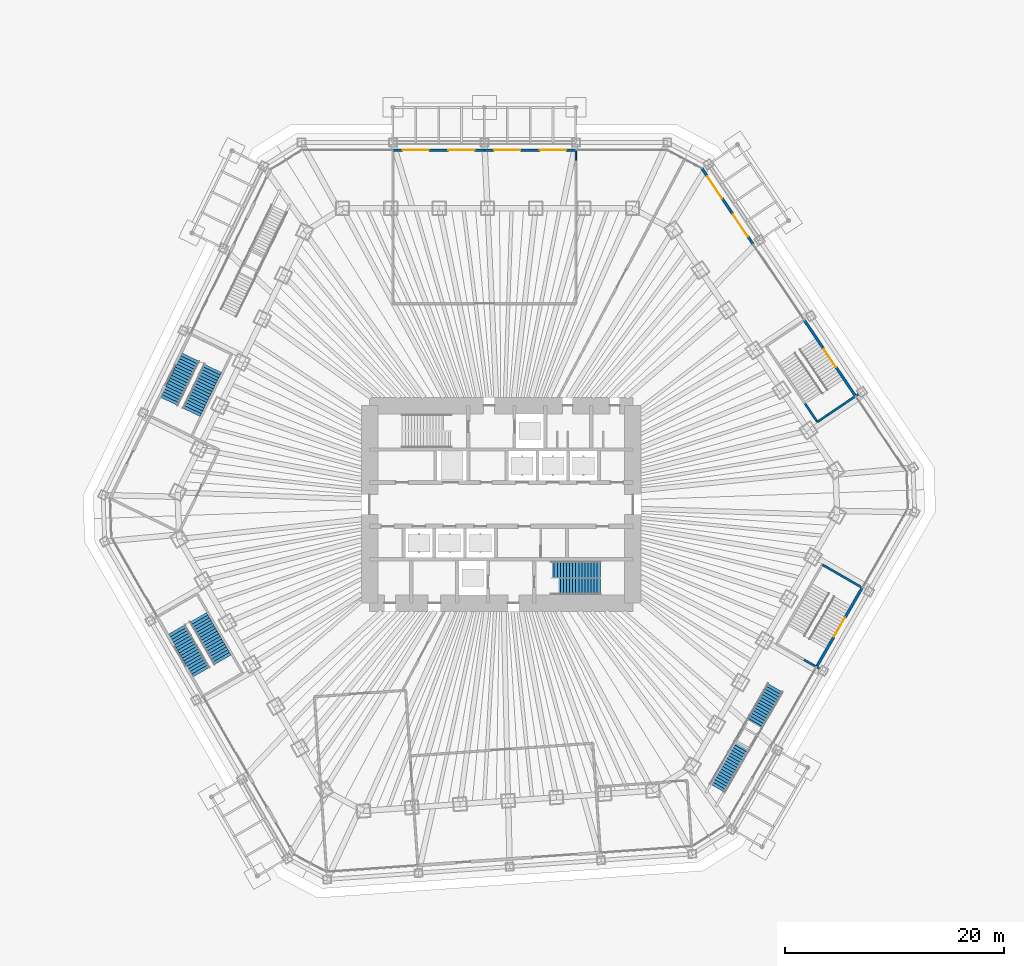
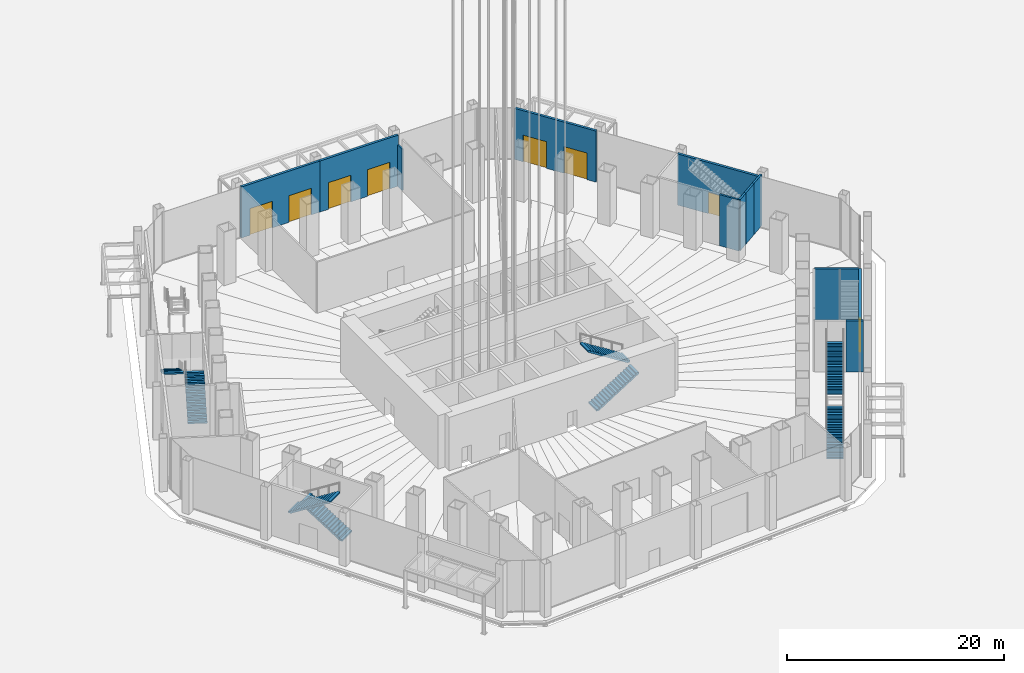
# One storey, part 30 of 45: 12 walls, 8 doors, 8 stair flights, 8 openings, 4 elements without a shape of their own.
"""IFC4 building model written with IfcOpenShell, lengths in metres."""

from ifc_helpers import new_model, si_unit, direction, frame, frame_2d, origin, place, context, subcontext, project, spatial, polyline, rectangle, outline, extrude, material, layer, layer_set, constituent, constituent_set, type_object, element, fill, aggregate, save


model = new_model("IFC4")

# Units and contexts
model_context = context("Model", 3, precision=1e-05, world=origin(), true_north=direction((0.0, 1.0)))
body_context = subcontext(model_context, "Body", "Model", "MODEL_VIEW")
ifc_project = project(units=[si_unit("LENGTHUNIT", "METRE"), si_unit("AREAUNIT", "SQUARE_METRE"), si_unit("VOLUMEUNIT", "CUBIC_METRE"), si_unit("PLANEANGLEUNIT", "RADIAN"), si_unit("MASSUNIT", "GRAM", prefix="KILO")], contexts=[model_context])

# Site, building, storey
site_placement = place(None, origin())
site = spatial("IfcSite", under=ifc_project, at=site_placement, CompositionType="ELEMENT")
building_placement = place(site_placement, origin())
building = spatial("IfcBuilding", under=site, at=building_placement, Name="Qingtian Harvest Tower", CompositionType="ELEMENT")
storey_placement = place(building_placement, origin())
storey = spatial("IfcBuildingStorey", under=building, at=storey_placement, Name="L00", CompositionType="ELEMENT", Elevation=0.0)

# Wall, openings, doors
ifc_material_1 = material(Name="Bronze-clad steel-framed screen wall with fire-rated lining", Category="steel")
ifc_layer_1 = layer(ifc_material_1, 0.25)
ifc_layer_set_1 = layer_set([ifc_layer_1], Name="Facade door bay wall FW2 250")
wall_type_1 = type_object("IfcWallType", Name="Facade door bay wall FW2 250", PredefinedType="SOLIDWALL", material=ifc_layer_set_1)
wall_1_placement = place(storey_placement, frame((-9.87890625, 32.300048828125, 0.0), z_axis=(0.0, 0.0, 1.0), x_axis=(1.0, 0.0, 0.0)))
wall_1 = element("IfcWall", 1, at=wall_1_placement, inside=storey, type_object=wall_type_1, Name="Tower lobby entrance bay N1", PredefinedType="SOLIDWALL", context=body_context, shape_type="SweptSolid", body=[
    extrude(rectangle(XDim=8.341796875, YDim=0.25, at=frame_2d((4.1708984375, 0.0))), origin(), (0.0, 0.0, 1.0), 5.75),
])
opening_1_placement = place(wall_1_placement, frame((0.885498046875, 0.0, 0.0)))
opening_1 = element("IfcOpeningElement", 2, at=opening_1_placement, cuts=wall_1, Name="Opening ED1", PredefinedType="OPENING", context=body_context, shape_type="SweptSolid", body=[
    extrude(rectangle(XDim=2.39990234375, YDim=3.0, at=frame_2d((1.199951171875, 1.5))), frame((0.0, 0.135009765625, 0.0), z_axis=(0.0, -1.0, 0.0), x_axis=(1.0, 0.0, 0.0)), (0.0, 0.0, 1.0), 0.27001953125),
])
opening_2_placement = place(wall_1_placement, frame((5.056396484375, 0.0, 0.0)))
opening_2 = element("IfcOpeningElement", 3, at=opening_2_placement, cuts=wall_1, Name="Opening ED1", PredefinedType="OPENING", context=body_context, shape_type="SweptSolid", body=[
    extrude(rectangle(XDim=2.39990234375, YDim=3.0, at=frame_2d((1.199951171875, 1.5))), frame((0.0, 0.135009765625, 0.0), z_axis=(0.0, -1.0, 0.0), x_axis=(1.0, 0.0, 0.0)), (0.0, 0.0, 1.0), 0.27001953125),
])
ifc_material_2 = material(Name="Bronze-framed glass door", Category="glass")
door_type_1 = type_object("IfcDoorType", Name="Entrance door ED1 double", OperationType="DOUBLE_DOOR_DOUBLE_SWING", PredefinedType="DOOR", material=ifc_material_2)
door_1_placement = place(opening_1_placement, origin())
door_1 = element("IfcDoor", 4, at=door_1_placement, inside=storey, type_object=door_type_1, Name="Tower lobby entrance N1", OperationType="DOUBLE_DOOR_DOUBLE_SWING", OverallHeight=3.0, OverallWidth=2.39990234375, PredefinedType="DOOR", context=body_context, shape_type="SweptSolid", body=[
    extrude(rectangle(XDim=2.39990234375, YDim=3.0, at=frame_2d((1.199951171875, 1.5))), frame((0.0, 0.02490234375, 0.0), z_axis=(0.0, -1.0, 0.0), x_axis=(1.0, 0.0, 0.0)), (0.0, 0.0, 1.0), 0.050048828125),
])
fill(opening_1, door_1)
door_2_placement = place(opening_2_placement, origin())
door_2 = element("IfcDoor", 5, at=door_2_placement, inside=storey, type_object=door_type_1, Name="Tower lobby entrance N1", OperationType="DOUBLE_DOOR_DOUBLE_SWING", OverallHeight=3.0, OverallWidth=2.39990234375, PredefinedType="DOOR", context=body_context, shape_type="SweptSolid", body=[
    extrude(rectangle(XDim=2.39990234375, YDim=3.0, at=frame_2d((1.199951171875, 1.5))), frame((0.0, 0.02490234375, 0.0), z_axis=(0.0, -1.0, 0.0), x_axis=(1.0, 0.0, 0.0)), (0.0, 0.0, 1.0), 0.050048828125),
])
fill(opening_2, door_2)

wall_2_placement = place(storey_placement, frame((-1.537109375, 32.300048828125, 0.0), z_axis=(0.0, 0.0, 1.0), x_axis=(1.0, 0.0, 0.0)))
wall_2 = element("IfcWall", 6, at=wall_2_placement, inside=storey, type_object=wall_type_1, Name="Tower lobby entrance bay N2", PredefinedType="SOLIDWALL", context=body_context, shape_type="SweptSolid", body=[
    extrude(rectangle(XDim=8.341796875, YDim=0.25, at=frame_2d((4.1708984375, 0.0))), origin(), (0.0, 0.0, 1.0), 5.75),
])
opening_3_placement = place(wall_2_placement, frame((0.885498046875, 0.0, 0.0)))
opening_3 = element("IfcOpeningElement", 7, at=opening_3_placement, cuts=wall_2, Name="Opening ED1", PredefinedType="OPENING", context=body_context, shape_type="SweptSolid", body=[
    extrude(rectangle(XDim=2.39990234375, YDim=3.0, at=frame_2d((1.199951171875, 1.5))), frame((0.0, 0.135009765625, 0.0), z_axis=(0.0, -1.0, 0.0), x_axis=(1.0, 0.0, 0.0)), (0.0, 0.0, 1.0), 0.27001953125),
])
opening_4_placement = place(wall_2_placement, frame((5.056396484375, 0.0, 0.0)))
opening_4 = element("IfcOpeningElement", 8, at=opening_4_placement, cuts=wall_2, Name="Opening ED1", PredefinedType="OPENING", context=body_context, shape_type="SweptSolid", body=[
    extrude(rectangle(XDim=2.39990234375, YDim=3.0, at=frame_2d((1.199951171875, 1.5))), frame((0.0, 0.135009765625, 0.0), z_axis=(0.0, -1.0, 0.0), x_axis=(1.0, 0.0, 0.0)), (0.0, 0.0, 1.0), 0.27001953125),
])
door_3_placement = place(opening_3_placement, origin())
door_3 = element("IfcDoor", 9, at=door_3_placement, inside=storey, type_object=door_type_1, Name="Tower lobby entrance N2", OperationType="DOUBLE_DOOR_DOUBLE_SWING", OverallHeight=3.0, OverallWidth=2.39990234375, PredefinedType="DOOR", context=body_context, shape_type="SweptSolid", body=[
    extrude(rectangle(XDim=2.39990234375, YDim=3.0, at=frame_2d((1.199951171875, 1.5))), frame((0.0, 0.02490234375, 0.0), z_axis=(0.0, -1.0, 0.0), x_axis=(1.0, 0.0, 0.0)), (0.0, 0.0, 1.0), 0.050048828125),
])
fill(opening_3, door_3)
door_4_placement = place(opening_4_placement, origin())
door_4 = element("IfcDoor", 10, at=door_4_placement, inside=storey, type_object=door_type_1, Name="Tower lobby entrance N2", OperationType="DOUBLE_DOOR_DOUBLE_SWING", OverallHeight=3.0, OverallWidth=2.39990234375, PredefinedType="DOOR", context=body_context, shape_type="SweptSolid", body=[
    extrude(rectangle(XDim=2.39990234375, YDim=3.0, at=frame_2d((1.199951171875, 1.5))), frame((0.0, 0.02490234375, 0.0), z_axis=(0.0, -1.0, 0.0), x_axis=(1.0, 0.0, 0.0)), (0.0, 0.0, 1.0), 0.050048828125),
])
fill(opening_4, door_4)

wall_3_placement = place(storey_placement, frame((18.30810546875, 30.618896484375, 0.0), z_axis=(0.0, 0.0, 1.0), x_axis=(0.559196871021, -0.829034896395, 0.0)))
wall_3 = element("IfcWall", 11, at=wall_3_placement, inside=storey, type_object=wall_type_1, Name="Market hall entrance bay NE0", PredefinedType="SOLIDWALL", context=body_context, shape_type="SweptSolid", body=[
    extrude(rectangle(XDim=8.342041015625, YDim=0.25, at=frame_2d((4.1708984375, 0.0))), origin(), (0.0, 0.0, 1.0), 5.75),
])
opening_5_placement = place(wall_3_placement, frame((0.885498046875, 0.0, 0.0)))
opening_5 = element("IfcOpeningElement", 12, at=opening_5_placement, cuts=wall_3, Name="Opening ED1", PredefinedType="OPENING", context=body_context, shape_type="SweptSolid", body=[
    extrude(rectangle(XDim=2.39990234375, YDim=3.0, at=frame_2d((1.199951171875, 1.5))), frame((0.0, 0.135009765625, 0.0), z_axis=(0.0, -1.0, 0.0), x_axis=(1.0, 0.0, 0.0)), (0.0, 0.0, 1.0), 0.27001953125),
])
opening_6_placement = place(wall_3_placement, frame((5.056396484375, 0.0, 0.0)))
opening_6 = element("IfcOpeningElement", 13, at=opening_6_placement, cuts=wall_3, Name="Opening ED1", PredefinedType="OPENING", context=body_context, shape_type="SweptSolid", body=[
    extrude(rectangle(XDim=2.39990234375, YDim=3.0, at=frame_2d((1.199951171875, 1.5))), frame((0.0, 0.135009765625, 0.0), z_axis=(0.0, -1.0, 0.0), x_axis=(1.0, 0.0, 0.0)), (0.0, 0.0, 1.0), 0.27001953125),
])
door_5_placement = place(opening_5_placement, origin())
door_5 = element("IfcDoor", 14, at=door_5_placement, inside=storey, type_object=door_type_1, Name="Market hall entrance NE0", OperationType="DOUBLE_DOOR_DOUBLE_SWING", OverallHeight=3.0, OverallWidth=2.39990234375, PredefinedType="DOOR", context=body_context, shape_type="SweptSolid", body=[
    extrude(rectangle(XDim=2.39990234375, YDim=3.0, at=frame_2d((1.199951171875, 1.5))), frame((0.0, 0.02490234375, 0.0), z_axis=(0.0, -1.0, 0.0), x_axis=(1.0, 0.0, 0.0)), (0.0, 0.0, 1.0), 0.050048828125),
])
fill(opening_5, door_5)
door_6_placement = place(opening_6_placement, origin())
door_6 = element("IfcDoor", 15, at=door_6_placement, inside=storey, type_object=door_type_1, Name="Market hall entrance NE0", OperationType="DOUBLE_DOOR_DOUBLE_SWING", OverallHeight=3.0, OverallWidth=2.39990234375, PredefinedType="DOOR", context=body_context, shape_type="SweptSolid", body=[
    extrude(rectangle(XDim=2.39990234375, YDim=3.0, at=frame_2d((1.199951171875, 1.5))), frame((0.0, 0.02490234375, 0.0), z_axis=(0.0, -1.0, 0.0), x_axis=(1.0, 0.0, 0.0)), (0.0, 0.0, 1.0), 0.050048828125),
])
fill(opening_6, door_6)

# Wall, opening, door
wall_4_placement = place(storey_placement, frame((27.637451171875, 16.78759765625, 0.0), z_axis=(0.0, 0.0, 1.0), x_axis=(0.559196871021, -0.829034896395, 0.0)))
wall_4 = element("IfcWall", 16, at=wall_4_placement, inside=storey, type_object=wall_type_1, Name="Exit stair discharge door bay NE2", PredefinedType="SOLIDWALL", context=body_context, shape_type="SweptSolid", body=[
    extrude(rectangle(XDim=8.342041015625, YDim=0.25, at=frame_2d((4.1708984375, 0.0))), origin(), (0.0, 0.0, 1.0), 5.75),
])
opening_7_placement = place(wall_4_placement, frame((3.1708984375, 0.0, 0.0)))
opening_7 = element("IfcOpeningElement", 17, at=opening_7_placement, cuts=wall_4, Name="Opening XD1", PredefinedType="OPENING", context=body_context, shape_type="SweptSolid", body=[
    extrude(rectangle(XDim=2.0, YDim=2.39990234375, at=frame_2d((1.0, 1.199951171875))), frame((0.0, 0.135009765625, 0.0), z_axis=(0.0, -1.0, 0.0), x_axis=(1.0, 0.0, 0.0)), (0.0, 0.0, 1.0), 0.27001953125),
])
ifc_material_3 = material(Name="Steel-faced door leaf", Category="steel")
door_type_2 = type_object("IfcDoorType", Name="Exit discharge door XD1 double", OperationType="DOUBLE_DOOR_DOUBLE_SWING", PredefinedType="DOOR", material=ifc_material_3)
door_7_placement = place(opening_7_placement, origin())
door_7 = element("IfcDoor", 18, at=door_7_placement, inside=storey, type_object=door_type_2, Name="Exit stair discharge door NE2", OperationType="DOUBLE_DOOR_DOUBLE_SWING", OverallHeight=2.39990234375, OverallWidth=2.0, PredefinedType="DOOR", context=body_context, shape_type="SweptSolid", body=[
    extrude(rectangle(XDim=2.0, YDim=2.39990234375, at=frame_2d((1.0, 1.199951171875))), frame((0.0, 0.02490234375, 0.0), z_axis=(0.0, -1.0, 0.0), x_axis=(1.0, 0.0, 0.0)), (0.0, 0.0, 1.0), 0.050048828125),
])
fill(opening_7, door_7)

wall_5_placement = place(storey_placement, frame((32.912109375, -7.5947265625, 0.0), z_axis=(0.0, 0.0, 1.0), x_axis=(-0.500004511595, -0.866022798998, 0.0)))
wall_5 = element("IfcWall", 19, at=wall_5_placement, inside=storey, type_object=wall_type_1, Name="Exit stair discharge door bay SE1", PredefinedType="SOLIDWALL", context=body_context, shape_type="SweptSolid", body=[
    extrude(rectangle(XDim=8.341796875, YDim=0.25, at=frame_2d((4.1708984375, 0.0))), origin(), (0.0, 0.0, 1.0), 5.75),
])
opening_8_placement = place(wall_5_placement, frame((3.1708984375, 0.0, 0.0)))
opening_8 = element("IfcOpeningElement", 20, at=opening_8_placement, cuts=wall_5, Name="Opening XD1", PredefinedType="OPENING", context=body_context, shape_type="SweptSolid", body=[
    extrude(rectangle(XDim=2.0, YDim=2.39990234375, at=frame_2d((1.0, 1.199951171875))), frame((0.0, 0.135009765625, 0.0), z_axis=(0.0, -1.0, 0.0), x_axis=(1.0, 0.0, 0.0)), (0.0, 0.0, 1.0), 0.27001953125),
])
door_8_placement = place(opening_8_placement, origin())
door_8 = element("IfcDoor", 21, at=door_8_placement, inside=storey, type_object=door_type_2, Name="Exit stair discharge door SE1", OperationType="DOUBLE_DOOR_DOUBLE_SWING", OverallHeight=2.39990234375, OverallWidth=2.0, PredefinedType="DOOR", context=body_context, shape_type="SweptSolid", body=[
    extrude(rectangle(XDim=2.0, YDim=2.39990234375, at=frame_2d((1.0, 1.199951171875))), frame((0.0, 0.02490234375, 0.0), z_axis=(0.0, -1.0, 0.0), x_axis=(1.0, 0.0, 0.0)), (0.0, 0.0, 1.0), 0.050048828125),
])
fill(opening_8, door_8)

# Walls
ifc_material_4 = material(Name="Blockwork fire wall", Category="masonry")
ifc_layer_2 = layer(ifc_material_4, 0.199951171875)
ifc_layer_set_2 = layer_set([ifc_layer_2], Name="Fire partition FW1 200")
wall_type_2 = type_object("IfcWallType", Name="Fire partition FW1 200", PredefinedType="PARTITIONING", material=ifc_layer_set_2)
wall_6_placement = place(storey_placement, frame((32.571533203125, 10.0537109375, 0.0), z_axis=(0.0, 0.0, 1.0), x_axis=(-0.829033253898, -0.55919930609, 0.0)))
element("IfcWall", 22, at=wall_6_placement, inside=storey, type_object=wall_type_2, Name="Exit stair P1 enclosure L00", PredefinedType="PARTITIONING", context=body_context, shape_type="SweptSolid", body=[
    extrude(rectangle(XDim=1.625, YDim=0.199951171875, at=frame_2d((0.8125, 0.0))), origin(), (0.0, 0.0, 1.0), 5.75),
])
wall_7_placement = place(storey_placement, frame((31.224365234375, 9.14501953125, 0.0), z_axis=(0.0, 0.0, 1.0), x_axis=(-0.829033422808, -0.559199055675, 0.0)))
element("IfcWall", 23, at=wall_7_placement, inside=storey, type_object=wall_type_2, Name="Exit stair P1 enclosure L00", PredefinedType="PARTITIONING", context=body_context, shape_type="SweptSolid", body=[
    extrude(rectangle(XDim=1.7001953125, YDim=0.199951171875, at=frame_2d((0.85009765625, 0.0))), origin(), (0.0, 0.0, 1.0), 5.75),
])
wall_8_placement = place(storey_placement, frame((29.81494140625, 8.1943359375, 0.0), z_axis=(0.0, 0.0, 1.0), x_axis=(-0.829096255744, -0.559105892217, 0.0)))
element("IfcWall", 24, at=wall_8_placement, inside=storey, type_object=wall_type_2, Name="Exit stair P1 enclosure L00", PredefinedType="PARTITIONING", context=body_context, shape_type="SweptSolid", body=[
    extrude(rectangle(XDim=1.199951171875, YDim=0.199951171875, at=frame_2d((0.60009765625, 0.0))), origin(), (0.0, 0.0, 1.0), 5.75),
])
wall_9_placement = place(storey_placement, frame((27.706298828125, 9.174560546875, 0.0), z_axis=(0.0, 0.0, 1.0), x_axis=(0.559218085846, -0.829020586272, 0.0)))
element("IfcWall", 25, at=wall_9_placement, inside=storey, type_object=wall_type_2, Name="Exit stair P1 enclosure L00", PredefinedType="PARTITIONING", context=body_context, shape_type="SweptSolid", body=[
    extrude(rectangle(XDim=1.99169921875, YDim=0.199951171875, at=frame_2d((0.995849609375, 0.0))), origin(), (0.0, 0.0, 1.0), 5.75),
])
wall_10_placement = place(storey_placement, frame((32.825439453125, -7.544677734375, 0.0), z_axis=(0.0, 0.0, 1.0), x_axis=(-0.8660249478, 0.500000789788, 0.0)))
element("IfcWall", 26, at=wall_10_placement, inside=storey, type_object=wall_type_2, Name="Exit stair P2 enclosure L00", PredefinedType="PARTITIONING", context=body_context, shape_type="SweptSolid", body=[
    extrude(rectangle(XDim=4.10009765625, YDim=0.199951171875, at=frame_2d((2.050048828125, 0.0))), origin(), (0.0, 0.0, 1.0), 5.75),
])
wall_11_placement = place(storey_placement, frame((29.022705078125, -14.981201171875, 0.0), z_axis=(0.0, 0.0, 1.0), x_axis=(-0.866015446554, 0.500017246033, 0.0)))
element("IfcWall", 27, at=wall_11_placement, inside=storey, type_object=wall_type_2, Name="Exit stair P2 enclosure L00", PredefinedType="PARTITIONING", context=body_context, shape_type="SweptSolid", body=[
    extrude(rectangle(XDim=1.625, YDim=0.199951171875, at=frame_2d((0.8125, 0.0))), origin(), (0.0, 0.0, 1.0), 5.75),
])
ifc_material_5 = material(Name="Fire-rated gypsum board on steel studs", Category="steel")
ifc_layer_3 = layer(ifc_material_5, 0.14990234375)
ifc_layer_set_3 = layer_set([ifc_layer_3], Name="Fire partition FW3 150 1 HR")
wall_type_3 = type_object("IfcWallType", Name="Fire partition FW3 150 1 HR", PredefinedType="PARTITIONING", material=ifc_layer_set_3)
wall_12_placement = place(storey_placement, frame((6.8046875, 32.199951171875, 0.0), z_axis=(0.0, 0.0, 1.0), x_axis=(0.0, -1.0, 0.0)))
element("IfcWall", 28, at=wall_12_placement, inside=storey, type_object=wall_type_3, Name="Tower lobby wall L00", PredefinedType="PARTITIONING", context=body_context, shape_type="SweptSolid", body=[
    extrude(rectangle(XDim=0.801513671875, YDim=0.14990234375, at=frame_2d((0.40087890625, 0.0))), origin(), (0.0, 0.0, 1.0), 4.64990234375),
])

# Stair, stair flights
ifc_material_6 = material(Name="Concrete fc' 35 MPa", Category="concrete")
stair_type_1 = type_object("IfcStairType", Name="Exit stair PS1 6000", PredefinedType="HALF_TURN_STAIR", material=ifc_material_6)
stair_1_placement = place(storey_placement, origin())
stair_1 = element("IfcStair", 29, at=stair_1_placement, inside=storey, type_object=stair_type_1, Name="Exit stair P3 L00", PredefinedType="HALF_TURN_STAIR")
ifc_material_7 = material(Name="Concrete fc' 35 MPa", Category="concrete")
stair_flight_type_1 = type_object("IfcStairFlightType", Name="Exit stair flight EF1 6000", PredefinedType="STRAIGHT", material=ifc_material_7)
stair_flight_1_placement = place(storey_placement, frame((-25.417724609375, -14.175048828125, 0.0), z_axis=(0.0, 0.0, 1.0), x_axis=(-0.5, 0.866025403784, 0.0)))
stair_flight_1 = element("IfcStairFlight", 30, at=stair_flight_1_placement, type_object=stair_flight_type_1, Name="P3 flight 1", NumberOfRisers=17, NumberOfTreads=16, PredefinedType="STRAIGHT", RiserHeight=0.176470588, TreadLength=0.28, context=body_context, shape_type="SweptSolid", body=[
    extrude(outline(polyline([(0.0, 0.0), (0.0, 0.176513671875), (0.280029296875, 0.176513671875), (0.280029296875, 0.35302734375), (0.56005859375, 0.35302734375), (0.56005859375, 0.529296875), (0.840087890625, 0.529296875), (0.840087890625, 0.705810546875), (1.1201171875, 0.705810546875), (1.1201171875, 0.88232421875), (1.39990234375, 0.88232421875), (1.39990234375, 1.058837890625), (1.679931640625, 1.058837890625), (1.679931640625, 1.2353515625), (1.9599609375, 1.2353515625), (1.9599609375, 1.411865234375), (2.239990234375, 1.411865234375), (2.239990234375, 1.588134765625), (2.52001953125, 1.588134765625), (2.52001953125, 1.7646484375), (2.800048828125, 1.7646484375), (2.800048828125, 1.941162109375), (3.080078125, 1.941162109375), (3.080078125, 2.11767578125), (3.360107421875, 2.11767578125), (3.360107421875, 2.294189453125), (3.639892578125, 2.294189453125), (3.639892578125, 2.470703125), (3.919921875, 2.470703125), (3.919921875, 2.64697265625), (4.199951171875, 2.64697265625), (4.199951171875, 2.823486328125), (4.47998046875, 2.823486328125), (4.47998046875, 3.0), (4.47998046875, 2.646240234375), (0.28125, 0.0), (0.0, 0.0)])), frame((0.0, 0.89990234375, 0.0), z_axis=(0.0, -1.0, 0.0), x_axis=(1.0, 0.0, 0.0)), (0.0, 0.0, 1.0), 1.800048828125),
])
stair_flight_2_placement = place(storey_placement, frame((-29.56298828125, -11.395263671875, 3.0), z_axis=(0.0, 0.0, 1.0), x_axis=(0.5, -0.866025403784, 0.0)))
stair_flight_2 = element("IfcStairFlight", 31, at=stair_flight_2_placement, type_object=stair_flight_type_1, Name="P3 flight 2", NumberOfRisers=17, NumberOfTreads=16, PredefinedType="STRAIGHT", RiserHeight=0.176470588, TreadLength=0.28, context=body_context, shape_type="SweptSolid", body=[
    extrude(outline(polyline([(0.0, 0.0), (0.0, 0.176513671875), (0.280029296875, 0.176513671875), (0.280029296875, 0.35302734375), (0.56005859375, 0.35302734375), (0.56005859375, 0.529296875), (0.840087890625, 0.529296875), (0.840087890625, 0.705810546875), (1.1201171875, 0.705810546875), (1.1201171875, 0.88232421875), (1.39990234375, 0.88232421875), (1.39990234375, 1.058837890625), (1.679931640625, 1.058837890625), (1.679931640625, 1.2353515625), (1.9599609375, 1.2353515625), (1.9599609375, 1.411865234375), (2.239990234375, 1.411865234375), (2.239990234375, 1.588134765625), (2.52001953125, 1.588134765625), (2.52001953125, 1.7646484375), (2.800048828125, 1.7646484375), (2.800048828125, 1.941162109375), (3.080078125, 1.941162109375), (3.080078125, 2.11767578125), (3.360107421875, 2.11767578125), (3.360107421875, 2.294189453125), (3.639892578125, 2.294189453125), (3.639892578125, 2.470703125), (3.919921875, 2.470703125), (3.919921875, 2.64697265625), (4.199951171875, 2.64697265625), (4.199951171875, 2.823486328125), (4.47998046875, 2.823486328125), (4.47998046875, 3.0), (4.47998046875, 2.646240234375), (0.28125, 0.0), (0.0, 0.0)])), frame((0.0, 0.89990234375, 0.0), z_axis=(0.0, -1.0, 0.0), x_axis=(1.0, 0.0, 0.0)), (0.0, 0.0, 1.0), 1.800048828125),
])
aggregate(stair_1, [stair_flight_1, stair_flight_2])

stair_2_placement = place(storey_placement, origin())
stair_2 = element("IfcStair", 32, at=stair_2_placement, inside=storey, type_object=stair_type_1, Name="Exit stair P4 L00", PredefinedType="HALF_TURN_STAIR")
stair_flight_3_placement = place(storey_placement, frame((-28.274169921875, 8.411376953125, 0.0), z_axis=(0.0, 0.0, 1.0), x_axis=(0.438371146789, 0.898794046299, 0.0)))
stair_flight_3 = element("IfcStairFlight", 33, at=stair_flight_3_placement, type_object=stair_flight_type_1, Name="P4 flight 1", NumberOfRisers=17, NumberOfTreads=16, PredefinedType="STRAIGHT", RiserHeight=0.176470588, TreadLength=0.28, context=body_context, shape_type="SweptSolid", body=[
    extrude(outline(polyline([(0.0, 0.0), (0.0, 0.176513671875), (0.280029296875, 0.176513671875), (0.280029296875, 0.35302734375), (0.56005859375, 0.35302734375), (0.56005859375, 0.529296875), (0.840087890625, 0.529296875), (0.840087890625, 0.705810546875), (1.1201171875, 0.705810546875), (1.1201171875, 0.88232421875), (1.39990234375, 0.88232421875), (1.39990234375, 1.058837890625), (1.679931640625, 1.058837890625), (1.679931640625, 1.2353515625), (1.9599609375, 1.2353515625), (1.9599609375, 1.411865234375), (2.239990234375, 1.411865234375), (2.239990234375, 1.588134765625), (2.52001953125, 1.588134765625), (2.52001953125, 1.7646484375), (2.800048828125, 1.7646484375), (2.800048828125, 1.941162109375), (3.080078125, 1.941162109375), (3.080078125, 2.11767578125), (3.360107421875, 2.11767578125), (3.360107421875, 2.294189453125), (3.639892578125, 2.294189453125), (3.639892578125, 2.470703125), (3.919921875, 2.470703125), (3.919921875, 2.64697265625), (4.199951171875, 2.64697265625), (4.199951171875, 2.823486328125), (4.47998046875, 2.823486328125), (4.47998046875, 3.0), (4.47998046875, 2.646240234375), (0.28125, 0.0), (0.0, 0.0)])), frame((0.0, 0.89990234375, 0.0), z_axis=(0.0, -1.0, 0.0), x_axis=(1.0, 0.0, 0.0)), (0.0, 0.0, 1.0), 1.800048828125),
])
stair_flight_4_placement = place(storey_placement, frame((-28.28759765625, 13.40234375, 3.0), z_axis=(0.0, 0.0, 1.0), x_axis=(-0.438371146789, -0.898794046299, 0.0)))
stair_flight_4 = element("IfcStairFlight", 34, at=stair_flight_4_placement, type_object=stair_flight_type_1, Name="P4 flight 2", NumberOfRisers=17, NumberOfTreads=16, PredefinedType="STRAIGHT", RiserHeight=0.176470588, TreadLength=0.28, context=body_context, shape_type="SweptSolid", body=[
    extrude(outline(polyline([(0.0, 0.0), (0.0, 0.176513671875), (0.280029296875, 0.176513671875), (0.280029296875, 0.35302734375), (0.56005859375, 0.35302734375), (0.56005859375, 0.529296875), (0.840087890625, 0.529296875), (0.840087890625, 0.705810546875), (1.1201171875, 0.705810546875), (1.1201171875, 0.88232421875), (1.39990234375, 0.88232421875), (1.39990234375, 1.058837890625), (1.679931640625, 1.058837890625), (1.679931640625, 1.2353515625), (1.9599609375, 1.2353515625), (1.9599609375, 1.411865234375), (2.239990234375, 1.411865234375), (2.239990234375, 1.588134765625), (2.52001953125, 1.588134765625), (2.52001953125, 1.7646484375), (2.800048828125, 1.7646484375), (2.800048828125, 1.941162109375), (3.080078125, 1.941162109375), (3.080078125, 2.11767578125), (3.360107421875, 2.11767578125), (3.360107421875, 2.294189453125), (3.639892578125, 2.294189453125), (3.639892578125, 2.470703125), (3.919921875, 2.470703125), (3.919921875, 2.64697265625), (4.199951171875, 2.64697265625), (4.199951171875, 2.823486328125), (4.47998046875, 2.823486328125), (4.47998046875, 3.0), (4.47998046875, 2.646240234375), (0.28125, 0.0), (0.0, 0.0)])), frame((0.0, 0.89990234375, 0.0), z_axis=(0.0, -1.0, 0.0), x_axis=(1.0, 0.0, 0.0)), (0.0, 0.0, 1.0), 1.800048828125),
])
aggregate(stair_2, [stair_flight_3, stair_flight_4])

ifc_material_8 = material(Name="Steel SN490B (325 MPa)", Category="steel")
ifc_constituent_1 = constituent(ifc_material_8, Name="Stringers")
ifc_material_9 = material(Name="Terrazzo treads")
ifc_constituent_2 = constituent(ifc_material_9, Name="Treads")
ifc_constituent_set_1 = constituent_set(constituents=[ifc_constituent_1, ifc_constituent_2], Name="Steel SN490B (325 MPa)")
stair_type_2 = type_object("IfcStairType", Name="Feature stair FS6000 straight run", PredefinedType="STRAIGHT_RUN_STAIR", material=ifc_constituent_set_1)
stair_3_placement = place(storey_placement, origin())
stair_3 = element("IfcStair", 35, at=stair_3_placement, inside=storey, type_object=stair_type_2, Name="Feature stair FS1 L00 to L01", PredefinedType="STRAIGHT_RUN_STAIR")
ifc_material_10 = material(Name="Steel SN490B (325 MPa)", Category="steel")
ifc_constituent_3 = constituent(ifc_material_10, Name="Stringers")
ifc_material_11 = material(Name="Terrazzo treads")
ifc_constituent_4 = constituent(ifc_material_11, Name="Treads")
ifc_constituent_set_2 = constituent_set(constituents=[ifc_constituent_3, ifc_constituent_4], Name="Steel SN490B (325 MPa)")
stair_flight_type_2 = type_object("IfcStairFlightType", Name="Feature stair flight FF6000", PredefinedType="STRAIGHT", material=ifc_constituent_set_2)
stair_flight_5_placement = place(storey_placement, frame((19.7099609375, -25.87255859375, 0.0), z_axis=(0.0, 0.0, 1.0), x_axis=(0.5, 0.866025403784, 0.0)))
stair_flight_5 = element("IfcStairFlight", 36, at=stair_flight_5_placement, type_object=stair_flight_type_2, Name="FS1 flight 1", NumberOfRisers=17, NumberOfTreads=16, PredefinedType="STRAIGHT", RiserHeight=0.176470588, TreadLength=0.28, context=body_context, shape_type="SweptSolid", body=[
    extrude(outline(polyline([(0.0, 0.0), (0.0, 0.176513671875), (0.280029296875, 0.176513671875), (0.280029296875, 0.35302734375), (0.56005859375, 0.35302734375), (0.56005859375, 0.529296875), (0.840087890625, 0.529296875), (0.840087890625, 0.705810546875), (1.1201171875, 0.705810546875), (1.1201171875, 0.88232421875), (1.39990234375, 0.88232421875), (1.39990234375, 1.058837890625), (1.679931640625, 1.058837890625), (1.679931640625, 1.2353515625), (1.9599609375, 1.2353515625), (1.9599609375, 1.411865234375), (2.239990234375, 1.411865234375), (2.239990234375, 1.588134765625), (2.52001953125, 1.588134765625), (2.52001953125, 1.7646484375), (2.800048828125, 1.7646484375), (2.800048828125, 1.941162109375), (3.080078125, 1.941162109375), (3.080078125, 2.11767578125), (3.360107421875, 2.11767578125), (3.360107421875, 2.294189453125), (3.639892578125, 2.294189453125), (3.639892578125, 2.470703125), (3.919921875, 2.470703125), (3.919921875, 2.64697265625), (4.199951171875, 2.64697265625), (4.199951171875, 2.823486328125), (4.47998046875, 2.823486328125), (4.47998046875, 3.0), (4.47998046875, 2.646240234375), (0.28125, 0.0), (0.0, 0.0)])), frame((0.0, 0.800048828125, 0.0), z_axis=(0.0, -1.0, 0.0), x_axis=(1.0, 0.0, 0.0)), (0.0, 0.0, 1.0), 1.60009765625),
])
stair_flight_6_placement = place(storey_placement, frame((22.75, -20.607177734375, 3.0), z_axis=(0.0, 0.0, 1.0), x_axis=(0.5, 0.866025403784, 0.0)))
stair_flight_6 = element("IfcStairFlight", 37, at=stair_flight_6_placement, type_object=stair_flight_type_2, Name="FS1 flight 2", NumberOfRisers=17, NumberOfTreads=16, PredefinedType="STRAIGHT", RiserHeight=0.176470588, TreadLength=0.28, context=body_context, shape_type="SweptSolid", body=[
    extrude(outline(polyline([(0.0, 0.0), (0.0, 0.176513671875), (0.280029296875, 0.176513671875), (0.280029296875, 0.35302734375), (0.56005859375, 0.35302734375), (0.56005859375, 0.529296875), (0.840087890625, 0.529296875), (0.840087890625, 0.705810546875), (1.1201171875, 0.705810546875), (1.1201171875, 0.88232421875), (1.39990234375, 0.88232421875), (1.39990234375, 1.058837890625), (1.679931640625, 1.058837890625), (1.679931640625, 1.2353515625), (1.9599609375, 1.2353515625), (1.9599609375, 1.411865234375), (2.239990234375, 1.411865234375), (2.239990234375, 1.588134765625), (2.52001953125, 1.588134765625), (2.52001953125, 1.7646484375), (2.800048828125, 1.7646484375), (2.800048828125, 1.941162109375), (3.080078125, 1.941162109375), (3.080078125, 2.11767578125), (3.360107421875, 2.11767578125), (3.360107421875, 2.294189453125), (3.639892578125, 2.294189453125), (3.639892578125, 2.470703125), (3.919921875, 2.470703125), (3.919921875, 2.64697265625), (4.199951171875, 2.64697265625), (4.199951171875, 2.823486328125), (4.47998046875, 2.823486328125), (4.47998046875, 3.0), (4.47998046875, 2.646240234375), (0.28125, 0.0), (0.0, 0.0)])), frame((0.0, 0.800048828125, 0.0), z_axis=(0.0, -1.0, 0.0), x_axis=(1.0, 0.0, 0.0)), (0.0, 0.0, 1.0), 1.60009765625),
])
aggregate(stair_3, [stair_flight_5, stair_flight_6])

ifc_material_12 = material(Name="Concrete fc' 35 MPa", Category="concrete")
stair_type_3 = type_object("IfcStairType", Name="Special stair ST1 6000", PredefinedType="HALF_TURN_STAIR", material=ifc_material_12)
stair_4_placement = place(storey_placement, origin())
stair_4 = element("IfcStair", 38, at=stair_4_placement, inside=storey, type_object=stair_type_3, Name="Special stair S2 L00", PredefinedType="HALF_TURN_STAIR")
ifc_material_13 = material(Name="Concrete fc' 35 MPa", Category="concrete")
stair_flight_type_3 = type_object("IfcStairFlightType", Name="Stair flight SF1 6000", PredefinedType="STRAIGHT", material=ifc_material_13)
stair_flight_7_placement = place(storey_placement, frame((4.550048828125, -7.5, 0.0), z_axis=(0.0, 0.0, 1.0), x_axis=(1.0, 0.0, 0.0)))
stair_flight_7 = element("IfcStairFlight", 39, at=stair_flight_7_placement, type_object=stair_flight_type_3, Name="S2 flight 1", NumberOfRisers=17, NumberOfTreads=16, PredefinedType="STRAIGHT", RiserHeight=0.176470588, TreadLength=0.28, context=body_context, shape_type="SweptSolid", body=[
    extrude(outline(polyline([(0.0, 0.0), (0.0, 0.176513671875), (0.280029296875, 0.176513671875), (0.280029296875, 0.35302734375), (0.56005859375, 0.35302734375), (0.56005859375, 0.529296875), (0.840087890625, 0.529296875), (0.840087890625, 0.705810546875), (1.1201171875, 0.705810546875), (1.1201171875, 0.88232421875), (1.39990234375, 0.88232421875), (1.39990234375, 1.058837890625), (1.679931640625, 1.058837890625), (1.679931640625, 1.2353515625), (1.9599609375, 1.2353515625), (1.9599609375, 1.411865234375), (2.239990234375, 1.411865234375), (2.239990234375, 1.588134765625), (2.52001953125, 1.588134765625), (2.52001953125, 1.7646484375), (2.800048828125, 1.7646484375), (2.800048828125, 1.941162109375), (3.080078125, 1.941162109375), (3.080078125, 2.11767578125), (3.360107421875, 2.11767578125), (3.360107421875, 2.294189453125), (3.639892578125, 2.294189453125), (3.639892578125, 2.470703125), (3.919921875, 2.470703125), (3.919921875, 2.64697265625), (4.199951171875, 2.64697265625), (4.199951171875, 2.823486328125), (4.47998046875, 2.823486328125), (4.47998046875, 3.0), (4.47998046875, 2.646240234375), (0.28125, 0.0), (0.0, 0.0)])), frame((0.0, 0.75, 0.0), z_axis=(0.0, -1.0, 0.0), x_axis=(1.0, 0.0, 0.0)), (0.0, 0.0, 1.0), 1.5),
])
stair_flight_8_placement = place(storey_placement, frame((9.030029296875, -5.89990234375, 3.0), z_axis=(0.0, 0.0, 1.0), x_axis=(-1.0, 0.0, 0.0)))
stair_flight_8 = element("IfcStairFlight", 40, at=stair_flight_8_placement, type_object=stair_flight_type_3, Name="S2 flight 2", NumberOfRisers=17, NumberOfTreads=16, PredefinedType="STRAIGHT", RiserHeight=0.176470588, TreadLength=0.28, context=body_context, shape_type="SweptSolid", body=[
    extrude(outline(polyline([(0.0, 0.0), (0.0, 0.176513671875), (0.280029296875, 0.176513671875), (0.280029296875, 0.35302734375), (0.56005859375, 0.35302734375), (0.56005859375, 0.529296875), (0.840087890625, 0.529296875), (0.840087890625, 0.705810546875), (1.1201171875, 0.705810546875), (1.1201171875, 0.88232421875), (1.39990234375, 0.88232421875), (1.39990234375, 1.058837890625), (1.679931640625, 1.058837890625), (1.679931640625, 1.2353515625), (1.9599609375, 1.2353515625), (1.9599609375, 1.411865234375), (2.239990234375, 1.411865234375), (2.239990234375, 1.588134765625), (2.52001953125, 1.588134765625), (2.52001953125, 1.7646484375), (2.800048828125, 1.7646484375), (2.800048828125, 1.941162109375), (3.080078125, 1.941162109375), (3.080078125, 2.11767578125), (3.360107421875, 2.11767578125), (3.360107421875, 2.294189453125), (3.639892578125, 2.294189453125), (3.639892578125, 2.470703125), (3.919921875, 2.470703125), (3.919921875, 2.64697265625), (4.199951171875, 2.64697265625), (4.199951171875, 2.823486328125), (4.47998046875, 2.823486328125), (4.47998046875, 3.0), (4.47998046875, 2.646240234375), (0.28125, 0.0), (0.0, 0.0)])), frame((0.0, 0.75, 0.0), z_axis=(0.0, -1.0, 0.0), x_axis=(1.0, 0.0, 0.0)), (0.0, 0.0, 1.0), 1.5),
])
aggregate(stair_4, [stair_flight_7, stair_flight_8])

save(model, "model.ifc")
